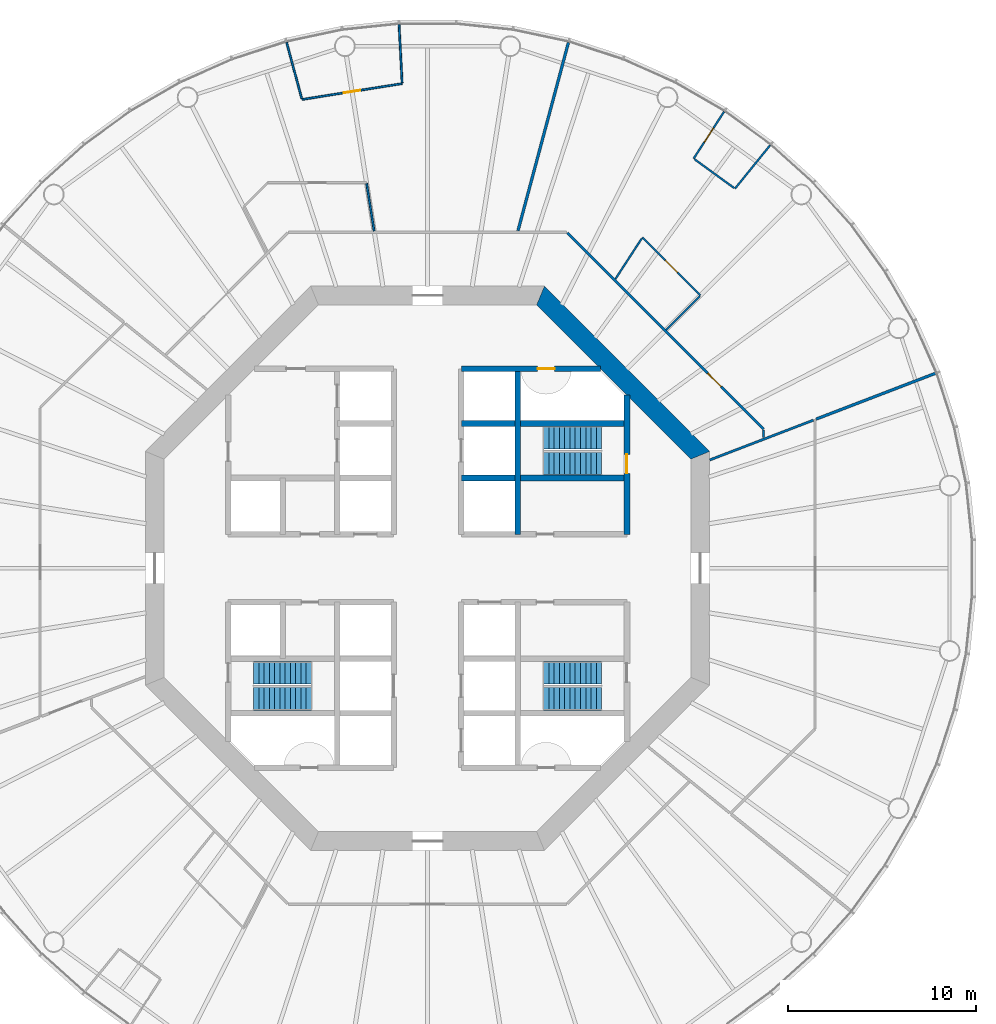
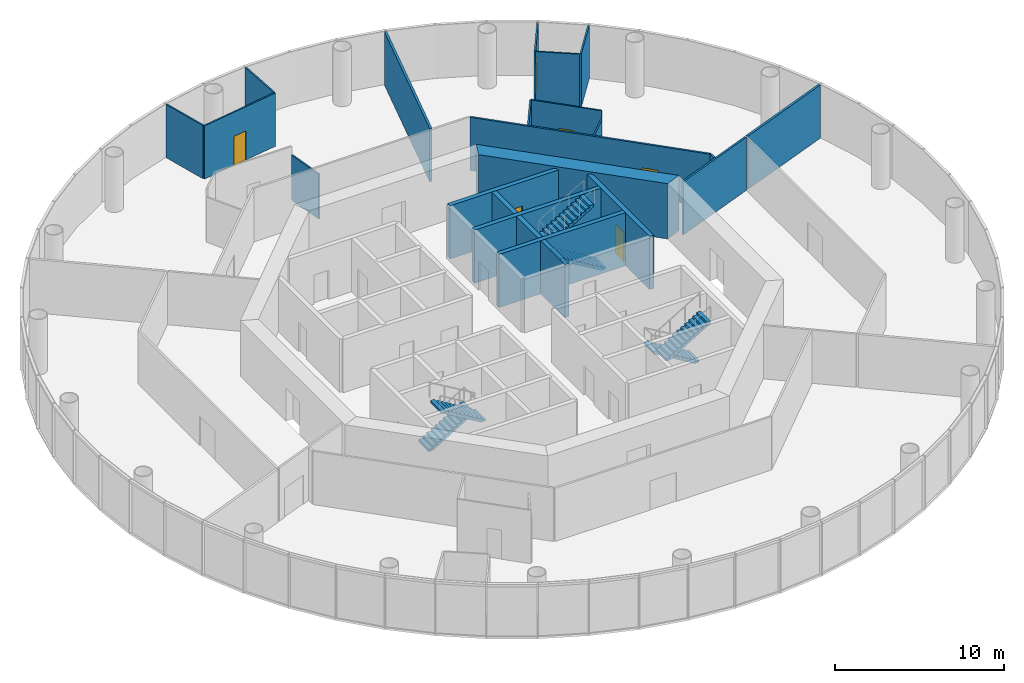
# One storey, part 5 of 12: 21 walls, 6 doors, 6 stair flights, 6 openings, 3 elements without a shape of their own.
"""IFC4 building model written with IfcOpenShell, lengths in metres."""

import ifcopenshell
import ifcopenshell.guid

model = None  # the IFC model being written
_history = None  # IfcOwnerHistory: only IFC2X3 demands one
_inside = {}  # id of a spatial element -> (the spatial element, [elements in it])
_under = {}  # id of a project, library or spatial element -> (it, [spatial elements below it])
_declared = {}  # id of a project -> (the project, [libraries it declares])
_typed = {}  # id of a type object -> (the type object, [elements of that type])
_made_of = {}  # id of a material, layer set ... -> (it, [elements and type objects made of it])


def new_model(schema):
    """Start an empty IFC model of exactly this schema.

    Asked for "IFC4X3", IfcOpenShell would pick the latest addendum, in which some entities
    have other attributes; the version numbers below select the first issue.
    IFC2X3 requires an IfcOwnerHistory on every rooted entity: one is made here for all.
    """
    global model, _history
    if schema == "IFC4X3":
        model = ifcopenshell.file(schema_version=(4, 3, 0, 0))
    else:
        model = ifcopenshell.file(schema=schema)
    _inside.clear()
    _under.clear()
    _declared.clear()
    _typed.clear()
    _made_of.clear()
    _history = None
    if model.schema == "IFC2X3":
        org = make("IfcOrganization", Name="unknown")
        user = make(
            "IfcPersonAndOrganization",
            ThePerson=make("IfcPerson", FamilyName="unknown"),
            TheOrganization=org,
        )
        app = make(
            "IfcApplication",
            ApplicationDeveloper=org,
            Version="unknown",
            ApplicationFullName="unknown",
            ApplicationIdentifier="unknown",
        )
        _history = make(
            "IfcOwnerHistory",
            OwningUser=user,
            OwningApplication=app,
            ChangeAction="ADDED",
            CreationDate=0,
        )
    return model


def make(cls, **values):
    """One entity of the class cls with the attributes given. An attribute that is None is left unset."""
    return model.create_entity(
        cls, **{name: value for name, value in values.items() if value is not None}
    )


def rooted(cls, **values):
    """An entity with a GlobalId (a new one), such as an element, a storey or a relation."""
    return make(cls, GlobalId=ifcopenshell.guid.new(), OwnerHistory=_history, **values)


def si_unit(unit_type, name, prefix=None):
    """IfcSIUnit, for example si_unit("LENGTHUNIT", "METRE", prefix="MILLI")."""
    return make("IfcSIUnit", UnitType=unit_type, Prefix=prefix, Name=name)


def assignment(units):
    """IfcUnitAssignment: the units of a project."""
    return None if units is None else make("IfcUnitAssignment", Units=units)


def point(xyz):
    """IfcCartesianPoint."""
    return None if xyz is None else make("IfcCartesianPoint", Coordinates=xyz)


def direction(xyz):
    """IfcDirection."""
    return None if xyz is None else make("IfcDirection", DirectionRatios=xyz)


def frame(location, z_axis=None, x_axis=None):
    """IfcAxis2Placement3D, a coordinate frame: its origin and axes. An axis left out is left unset."""
    return make(
        "IfcAxis2Placement3D",
        Location=point(location),
        Axis=direction(z_axis),
        RefDirection=direction(x_axis),
    )


def frame_2d(location, x_axis=None):
    """IfcAxis2Placement2D, a coordinate frame in the plane: its origin and x axis."""
    return make(
        "IfcAxis2Placement2D", Location=point(location), RefDirection=direction(x_axis)
    )


def origin():
    """The frame at (0, 0, 0) with its axes left unset."""
    return frame((0.0, 0.0, 0.0))


def place(relative_to, where):
    """IfcLocalPlacement: puts the frame where relative to a parent placement (None: the world)."""
    return make(
        "IfcLocalPlacement", PlacementRelTo=relative_to, RelativePlacement=where
    )


def context(
    kind, dimensions, precision=None, world=None, true_north=None, identifier=None
):
    """IfcGeometricRepresentationContext, for example the 3D "Model" context."""
    return make(
        "IfcGeometricRepresentationContext",
        ContextIdentifier=identifier,
        ContextType=kind,
        CoordinateSpaceDimension=dimensions,
        Precision=precision,
        WorldCoordinateSystem=world,
        TrueNorth=true_north,
    )


def subcontext(parent, identifier, kind, view, scale=None):
    """IfcGeometricRepresentationSubContext, for example "Body" below "Model"."""
    return make(
        "IfcGeometricRepresentationSubContext",
        ContextIdentifier=identifier,
        ContextType=kind,
        ParentContext=parent,
        TargetScale=scale,
        TargetView=view,
    )


def project(units=None, contexts=None):
    """IfcProject with its units and contexts."""
    return rooted(
        "IfcProject",
        Name="project",
        RepresentationContexts=contexts,
        UnitsInContext=assignment(units),
    )


def spatial(cls, under=None, at=None, **own):
    """A site, building, storey or space (cls), placed at a placement, below another one or the project."""
    s = rooted(cls, ObjectPlacement=at, **own)
    if under is not None:
        _under.setdefault(under.id(), (under, []))[1].append(s)
    return s


def polyline(points):
    """IfcPolyline through the points."""
    return make("IfcPolyline", Points=[point(p) for p in points])


def profile(cls, at=None, kind="AREA", **sizes):
    """A parametric profile (cls). Its sizes go by their IFC names, for example OverallWidth=200.0."""
    return make(cls, ProfileType=kind, Position=at, **sizes)


def rectangle(**sizes):
    """IfcRectangleProfileDef."""
    return profile("IfcRectangleProfileDef", **sizes)


def outline(outer, holes=None, kind="AREA"):
    """IfcArbitraryClosedProfileDef: a profile drawn as a closed curve; with holes, ...WithVoids."""
    if holes is None:
        return make("IfcArbitraryClosedProfileDef", ProfileType=kind, OuterCurve=outer)
    return make(
        "IfcArbitraryProfileDefWithVoids",
        ProfileType=kind,
        OuterCurve=outer,
        InnerCurves=holes,
    )


def extrude(swept, where, along, depth):
    """IfcExtrudedAreaSolid: the profile swept, set in the frame where, extruded along a direction by depth."""
    return make(
        "IfcExtrudedAreaSolid",
        SweptArea=swept,
        Position=where,
        ExtrudedDirection=direction(along),
        Depth=depth,
    )


def shape(context_of_items, identifier, shape_type, items):
    """IfcShapeRepresentation: the items that make up one representation, for example the "Body"."""
    return make(
        "IfcShapeRepresentation",
        ContextOfItems=context_of_items,
        RepresentationIdentifier=identifier,
        RepresentationType=shape_type,
        Items=items,
    )


def material(Name=None, Category=None):
    """IfcMaterial."""
    return make("IfcMaterial", Name=Name, Category=Category)


def layer(
    of_material, thickness, ventilated=None, Name=None, Category=None, Priority=None
):
    """IfcMaterialLayer: one layer of a wall or slab, of a material (None: an air gap)."""
    return make(
        "IfcMaterialLayer",
        Material=of_material,
        LayerThickness=thickness,
        IsVentilated=ventilated,
        Name=Name,
        Category=Category,
        Priority=Priority,
    )


def layer_set(layers, Name=None):
    """IfcMaterialLayerSet."""
    return make("IfcMaterialLayerSet", MaterialLayers=layers, LayerSetName=Name)


def made_of(thing, what):
    """Note that an element or type object is made of a material, layer set ...; save() writes the relation."""
    if what is not None:
        _made_of.setdefault(what.id(), (what, []))[1].append(thing)
    return thing


def type_object(cls, material=None, **own):
    """A type object (cls), such as IfcWallType, which elements share."""
    return made_of(rooted(cls, **own), material)


def element(
    cls,
    number,
    at=None,
    inside=None,
    cuts=None,
    type_object=None,
    material=None,
    context=None,
    identifier="Body",
    shape_type=None,
    held_by="IfcProductDefinitionShape",
    body=None,
    shapes=None,
    **own,
):
    """One element of the class cls, such as IfcWall. Its Tag is "e" and its number.

    at: its placement. inside: the storey or other place that contains it. cuts: it is an
    opening in that element (IfcRelVoidsElement). A single representation is given by context,
    identifier, shape_type and body (its items); several are given by shapes. held_by: the class
    of the entity that holds the representations. save() writes the other relations.
    """
    e = rooted(cls, Tag="e%d" % number, ObjectPlacement=at, **own)
    if body is not None:
        shapes = [shape(context, identifier, shape_type, body)]
    if shapes is not None:
        e.Representation = make(held_by, Representations=shapes)
    if inside is not None:
        _inside.setdefault(inside.id(), (inside, []))[1].append(e)
    if cuts is not None:
        rooted(
            "IfcRelVoidsElement", RelatingBuildingElement=cuts, RelatedOpeningElement=e
        )
    if type_object is not None:
        _typed.setdefault(type_object.id(), (type_object, []))[1].append(e)
    return made_of(e, material)


def fill(opening, filler):
    """IfcRelFillsElement: the door or window that sits in an opening."""
    return rooted(
        "IfcRelFillsElement",
        RelatingOpeningElement=opening,
        RelatedBuildingElement=filler,
    )


def aggregate(whole, parts):
    """IfcRelAggregates: a whole, such as a stair, and the parts it consists of."""
    return rooted("IfcRelAggregates", RelatingObject=whole, RelatedObjects=parts)


def save(model, path):
    """Write the relations noted so far, then the file.

    IfcRelAggregates (storeys below a building ...), IfcRelContainedInSpatialStructure (elements
    in a storey), IfcRelDefinesByType, IfcRelAssociatesMaterial and IfcRelDeclares: one each for
    every whole, place, type object, material and project.
    """
    for whole, parts in _under.values():
        aggregate(whole, parts)
    for where, things in _inside.values():
        rooted(
            "IfcRelContainedInSpatialStructure",
            RelatedElements=things,
            RelatingStructure=where,
        )
    for kind, things in _typed.values():
        rooted("IfcRelDefinesByType", RelatedObjects=things, RelatingType=kind)
    for what, things in _made_of.values():
        rooted("IfcRelAssociatesMaterial", RelatedObjects=things, RelatingMaterial=what)
    for by, libraries in _declared.values():
        rooted("IfcRelDeclares", RelatingContext=by, RelatedDefinitions=libraries)
    model.write(path)


model = new_model("IFC4")

# Units and contexts
model_context = context("Model", 3, precision=1e-05, world=origin(), true_north=direction((0.0, 1.0)))
body_context = subcontext(model_context, "Body", "Model", "MODEL_VIEW")
ifc_project = project(units=[si_unit("LENGTHUNIT", "METRE"), si_unit("AREAUNIT", "SQUARE_METRE"), si_unit("VOLUMEUNIT", "CUBIC_METRE"), si_unit("PLANEANGLEUNIT", "RADIAN"), si_unit("MASSUNIT", "GRAM", prefix="KILO")], contexts=[model_context])

# Site, building, storey
site_placement = place(None, origin())
site = spatial("IfcSite", under=ifc_project, at=site_placement, CompositionType="ELEMENT")
building_placement = place(site_placement, origin())
building = spatial("IfcBuilding", under=site, at=building_placement, Name="Entoto Ring Tower", CompositionType="ELEMENT")
storey_placement = place(building_placement, frame((0.0, 0.0, 148.0)))
storey = spatial("IfcBuildingStorey", under=building, at=storey_placement, Name="L33", CompositionType="ELEMENT", Elevation=148.0)

# Wall, opening, door
ifc_material_1 = material(Name="Concrete C40/50", Category="concrete")
ifc_layer_1 = layer(ifc_material_1, 0.300048828125)
ifc_layer_set_1 = layer_set([ifc_layer_1], Name="Concrete C40/50")
wall_type_1 = type_object("IfcWallType", Name="Core enclosure wall 300 mm reinforced concrete", PredefinedType="SOLIDWALL", material=ifc_layer_set_1)
wall_1_placement = place(storey_placement, frame((100.60009765625, 81.800048828125, 0.0), z_axis=(0.0, 0.0, 1.0), x_axis=(0.0, 1.0, 0.0)))
wall_1 = element("IfcWall", 1, at=wall_1_placement, inside=storey, type_object=wall_type_1, Name="wall-L33-002", PredefinedType="SOLIDWALL", context=body_context, shape_type="SweptSolid", body=[
    extrude(rectangle(XDim=7.39892578125, YDim=0.300048828125, at=frame_2d((3.699462890625, 0.0))), origin(), (0.0, 0.0, 1.0), 3.85009765625),
])
opening_1_placement = place(wall_1_placement, frame((3.25, 0.0, 0.0)))
opening_1 = element("IfcOpeningElement", 2, at=opening_1_placement, cuts=wall_1, Name="Opening K-52", PredefinedType="OPENING", context=body_context, shape_type="SweptSolid", body=[
    extrude(rectangle(XDim=1.0, YDim=2.10009765625, at=frame_2d((0.5, 1.050048828125))), frame((0.0, 0.16015625, 0.0), z_axis=(0.0, -1.0, 0.0), x_axis=(1.0, 0.0, 0.0)), (0.0, 0.0, 1.0), 0.320068359375),
])
ifc_material_2 = material(Name="Steel door leaf, fire rated", Category="steel")
ifc_layer_2 = layer(ifc_material_2, 0.050048828125)
ifc_layer_set_2 = layer_set([ifc_layer_2], Name="Steel door leaf, fire rated")
door_type_1 = type_object("IfcDoorType", Name="Fire door FD60 1000 x 2100 single leaf", OperationType="NOTDEFINED", PredefinedType="DOOR", material=ifc_layer_set_2)
door_1_placement = place(opening_1_placement, origin())
door_1 = element("IfcDoor", 3, at=door_1_placement, inside=storey, type_object=door_type_1, Name="Door K-52", OperationType="SINGLE_SWING_LEFT", OverallHeight=2.10009765625, OverallWidth=1.0, PredefinedType="DOOR", context=body_context, shape_type="SweptSolid", body=[
    extrude(rectangle(XDim=1.0, YDim=2.10009765625, at=frame_2d((0.5, 1.050048828125))), frame((0.0, 0.02490234375, 0.0), z_axis=(0.0, -1.0, 0.0), x_axis=(1.0, 0.0, 0.0)), (0.0, 0.0, 1.0), 0.050048828125),
])
fill(opening_1, door_1)

# Walls
for number, where, z_axis, x_axis, name in (
    (4, (94.800048828125, 81.800048828125, 0.0), (0.0, 0.0, 1.0), (0.0, 1.0, 0.0), "wall-L33-004"),
    (5, (91.800048828125, 84.800048828125, 0.0), (0.0, 0.0, 1.0), (1.0, 0.0, 0.0), "wall-L33-026"),
    (6, (91.800048828125, 87.699951171875, 0.0), (0.0, 0.0, 1.0), (1.0, 0.0, 0.0), "wall-L33-028"),
):
    element("IfcWall", number, at=place(storey_placement, frame(where, z_axis=z_axis, x_axis=x_axis)), inside=storey, type_object=wall_type_1, Name=name, PredefinedType="SOLIDWALL", context=body_context, shape_type="SweptSolid", body=[
        extrude(rectangle(XDim=8.800048828125, YDim=0.300048828125, at=frame_2d((4.39990234375, 0.0))), origin(), (0.0, 0.0, 1.0), 3.85009765625),
    ])

# Wall, opening, door
wall_2_placement = place(storey_placement, frame((91.800048828125, 90.60009765625, 0.0), z_axis=(0.0, 0.0, 1.0), x_axis=(1.0, 0.0, 0.0)))
wall_2 = element("IfcWall", 7, at=wall_2_placement, inside=storey, type_object=wall_type_1, Name="wall-L33-030", PredefinedType="SOLIDWALL", context=body_context, shape_type="SweptSolid", body=[
    extrude(rectangle(XDim=7.39892578125, YDim=0.300048828125, at=frame_2d((3.699462890625, 0.0))), origin(), (0.0, 0.0, 1.0), 3.85009765625),
])
opening_2_placement = place(wall_2_placement, frame((4.050048828125, 0.0, 0.0)))
opening_2 = element("IfcOpeningElement", 8, at=opening_2_placement, cuts=wall_2, Name="Opening K-60", PredefinedType="OPENING", context=body_context, shape_type="SweptSolid", body=[
    extrude(rectangle(XDim=0.89990234375, YDim=2.10009765625, at=frame_2d((0.449951171875, 1.050048828125))), frame((0.0, 0.16015625, 0.0), z_axis=(0.0, -1.0, 0.0), x_axis=(1.0, 0.0, 0.0)), (0.0, 0.0, 1.0), 0.320068359375),
])
ifc_material_3 = material(Name="Steel door leaf, fire rated", Category="steel")
ifc_layer_3 = layer(ifc_material_3, 0.050048828125)
ifc_layer_set_3 = layer_set([ifc_layer_3], Name="Steel door leaf, fire rated")
door_type_2 = type_object("IfcDoorType", Name="Riser door FD60 900 x 2100 single leaf", OperationType="NOTDEFINED", PredefinedType="DOOR", material=ifc_layer_set_3)
door_2_placement = place(opening_2_placement, frame((0.89990234375, 0.0, 0.0), z_axis=(0.0, 0.0, 1.0), x_axis=(-1.0, 0.0, 0.0)))
door_2 = element("IfcDoor", 9, at=door_2_placement, inside=storey, type_object=door_type_2, Name="Door K-60", OperationType="SINGLE_SWING_RIGHT", OverallHeight=2.10009765625, OverallWidth=0.89990234375, PredefinedType="DOOR", context=body_context, shape_type="SweptSolid", body=[
    extrude(rectangle(XDim=0.89990234375, YDim=2.10009765625, at=frame_2d((0.449951171875, 1.050048828125))), frame((0.0, 0.02490234375, 0.0), z_axis=(0.0, -1.0, 0.0), x_axis=(1.0, 0.0, 0.0)), (0.0, 0.0, 1.0), 0.050048828125),
])
fill(opening_2, door_2)

# Wall
ifc_material_4 = material(Name="Concrete C50/60", Category="concrete")
ifc_layer_4 = layer(ifc_material_4, 1.0)
ifc_layer_set_4 = layer_set([ifc_layer_4], Name="Concrete C50/60")
wall_type_2 = type_object("IfcWallType", Name="Core shear wall 1000 mm reinforced concrete C50/60", PredefinedType="SHEAR", material=ifc_layer_set_4)
wall_3_placement = place(storey_placement, frame((104.5, 86.006103515625, 0.0), z_axis=(0.0, 0.0, 1.0), x_axis=(-0.707106781187, 0.707106781187, 0.0)))
element("IfcWall", 10, at=wall_3_placement, inside=storey, type_object=wall_type_2, Name="wall-L33-core-1", PredefinedType="SHEAR", context=body_context, shape_type="SweptSolid", body=[
    extrude(outline(polyline([(-0.20703125, -0.5), (12.21923828125, -0.5), (11.80517578125, 0.5), (0.20703125, 0.5), (-0.20703125, -0.5)])), origin(), (0.0, 0.0, 1.0), 4.0),
])

# Wall, opening, door
ifc_material_5 = material(Name="Fire-resisting plasterboard on steel studs", Category="steel")
ifc_layer_5 = layer(ifc_material_5, 0.125)
ifc_layer_set_5 = layer_set([ifc_layer_5], Name="Fire-resisting plasterboard on steel studs")
wall_type_3 = type_object("IfcWallType", Name="Corridor wall 125 mm one-hour plasterboard on steel studs", PredefinedType="PARTITIONING", material=ifc_layer_set_5)
wall_4_placement = place(storey_placement, frame((107.862548828125, 87.39892578125, 0.0), z_axis=(0.0, 0.0, 1.0), x_axis=(-0.707115054973, 0.707098507303, 0.0)))
wall_4 = element("IfcWall", 11, at=wall_4_placement, inside=storey, type_object=wall_type_3, Name="partition-L33-006", PredefinedType="PARTITIONING", context=body_context, shape_type="SweptSolid", body=[
    extrude(rectangle(XDim=14.753662109375, YDim=0.125, at=frame_2d((7.376953125, 0.0))), origin(), (0.0, 0.0, 1.0), 3.85009765625),
])
opening_3_placement = place(wall_4_placement, frame((3.199462890625, 0.0, 0.0)))
opening_3 = element("IfcOpeningElement", 12, at=opening_3_placement, cuts=wall_4, Name="Opening A15-D03", PredefinedType="OPENING", context=body_context, shape_type="SweptSolid", body=[
    extrude(rectangle(XDim=1.0, YDim=2.10009765625, at=frame_2d((0.5, 1.050048828125))), frame((0.0, 0.072509765625, 0.0), z_axis=(0.0, -1.0, 0.0), x_axis=(1.0, 0.0, 0.0)), (0.0, 0.0, 1.0), 0.14501953125),
])
ifc_material_6 = material(Name="Fire-resisting timber door set", Category="wood")
door_type_3 = type_object("IfcDoorType", Name="Door 1000 x 2100 single leaf FD30S fire door", OperationType="NOTDEFINED", PredefinedType="DOOR", material=ifc_material_6)
door_3_placement = place(opening_3_placement, frame((1.0, 0.0, 0.0), z_axis=(0.0, 0.0, 1.0), x_axis=(-1.0, 0.0, 0.0)))
door_3 = element("IfcDoor", 13, at=door_3_placement, inside=storey, type_object=door_type_3, Name="Door A15-D03", OperationType="SINGLE_SWING_LEFT", OverallHeight=2.10009765625, OverallWidth=1.0, PredefinedType="DOOR", context=body_context, shape_type="SweptSolid", body=[
    extrude(rectangle(XDim=1.0, YDim=2.10009765625, at=frame_2d((0.5, 1.050048828125))), frame((0.0, 0.02490234375, 0.0), z_axis=(0.0, -1.0, 0.0), x_axis=(1.0, 0.0, 0.0)), (0.0, 0.0, 1.0), 0.050048828125),
])
fill(opening_3, door_3)

# Walls
wall_5_placement = place(storey_placement, frame((105.0, 85.758056640625, 0.0), z_axis=(0.0, 0.0, 1.0), x_axis=(0.933592488158, 0.358336526264, 0.0)))
element("IfcWall", 14, at=wall_5_placement, inside=storey, type_object=wall_type_3, Name="partition-L33-012", PredefinedType="PARTITIONING", context=body_context, shape_type="SweptSolid", body=[
    extrude(rectangle(XDim=5.90771484375, YDim=0.125, at=frame_2d((2.953857421875, 0.0))), origin(), (0.0, 0.0, 1.0), 3.85009765625),
])
wall_6_placement = place(storey_placement, frame((107.862548828125, 86.947509765625, 0.0), z_axis=(0.0, 0.0, 1.0), x_axis=(0.0, 1.0, 0.0)))
element("IfcWall", 15, at=wall_6_placement, inside=storey, type_object=wall_type_3, Name="partition-L33-016", PredefinedType="PARTITIONING", context=body_context, shape_type="SweptSolid", body=[
    extrude(rectangle(XDim=0.407470703125, YDim=0.125, at=frame_2d((0.20361328125, 0.0))), origin(), (0.0, 0.0, 1.0), 3.85009765625),
])

# Wall, opening, door
ifc_material_7 = material(Name="Plasterboard on steel studs", Category="steel")
ifc_layer_6 = layer(ifc_material_7, 0.10009765625)
ifc_layer_set_6 = layer_set([ifc_layer_6], Name="Plasterboard on steel studs")
wall_type_4 = type_object("IfcWallType", Name="Partition 100 mm plasterboard on steel studs", PredefinedType="PARTITIONING", material=ifc_layer_set_6)
wall_7_placement = place(storey_placement, frame((83.322509765625, 104.9208984375, 0.0), z_axis=(0.0, 0.0, 1.0), x_axis=(0.987687980324, 0.156436739688, 0.0)))
wall_7 = element("IfcWall", 16, at=wall_7_placement, inside=storey, type_object=wall_type_4, Name="partition-L33-022", PredefinedType="PARTITIONING", context=body_context, shape_type="SweptSolid", body=[
    extrude(rectangle(XDim=5.3935546875, YDim=0.10009765625, at=frame_2d((2.69677734375, 0.0))), origin(), (0.0, 0.0, 1.0), 3.85009765625),
])
opening_4_placement = place(wall_7_placement, frame((2.246826171875, 0.0, 0.0)))
opening_4 = element("IfcOpeningElement", 17, at=opening_4_placement, cuts=wall_7, Name="Opening A15-D08", PredefinedType="OPENING", context=body_context, shape_type="SweptSolid", body=[
    extrude(rectangle(XDim=0.89990234375, YDim=2.10009765625, at=frame_2d((0.449951171875, 1.050048828125))), frame((0.0, 0.06005859375, 0.0), z_axis=(0.0, -1.0, 0.0), x_axis=(1.0, 0.0, 0.0)), (0.0, 0.0, 1.0), 0.1201171875),
])
ifc_material_8 = material(Name="Veneered timber door leaf in timber frame", Category="wood")
door_type_4 = type_object("IfcDoorType", Name="Door 900 x 2100 single leaf timber veneer", OperationType="NOTDEFINED", PredefinedType="DOOR", material=ifc_material_8)
door_4_placement = place(opening_4_placement, origin())
door_4 = element("IfcDoor", 18, at=door_4_placement, inside=storey, type_object=door_type_4, Name="Door A15-D08", OperationType="SINGLE_SWING_RIGHT", OverallHeight=2.10009765625, OverallWidth=0.89990234375, PredefinedType="DOOR", context=body_context, shape_type="SweptSolid", body=[
    extrude(rectangle(XDim=0.89990234375, YDim=2.10009765625, at=frame_2d((0.449951171875, 1.050048828125))), frame((0.0, 0.02490234375, 0.0), z_axis=(0.0, -1.0, 0.0), x_axis=(1.0, 0.0, 0.0)), (0.0, 0.0, 1.0), 0.050048828125),
])
fill(opening_4, door_4)

wall_8_placement = place(storey_placement, frame((104.50439453125, 94.50439453125, 0.0), z_axis=(0.0, 0.0, 1.0), x_axis=(-0.707078784165, 0.7071347771, 0.0)))
wall_8 = element("IfcWall", 19, at=wall_8_placement, inside=storey, type_object=wall_type_4, Name="partition-L33-025", PredefinedType="PARTITIONING", context=body_context, shape_type="SweptSolid", body=[
    extrude(rectangle(XDim=4.360107421875, YDim=0.10009765625, at=frame_2d((2.18017578125, 0.0))), origin(), (0.0, 0.0, 1.0), 3.85009765625),
])
opening_5_placement = place(wall_8_placement, frame((1.72998046875, 0.0, 0.0)))
opening_5 = element("IfcOpeningElement", 20, at=opening_5_placement, cuts=wall_8, Name="Opening A15-D04", PredefinedType="OPENING", context=body_context, shape_type="SweptSolid", body=[
    extrude(rectangle(XDim=0.89990234375, YDim=2.10009765625, at=frame_2d((0.449951171875, 1.050048828125))), frame((0.0, 0.06005859375, 0.0), z_axis=(0.0, -1.0, 0.0), x_axis=(1.0, 0.0, 0.0)), (0.0, 0.0, 1.0), 0.1201171875),
])
door_5_placement = place(opening_5_placement, origin())
door_5 = element("IfcDoor", 21, at=door_5_placement, inside=storey, type_object=door_type_4, Name="Door A15-D04", OperationType="SINGLE_SWING_RIGHT", OverallHeight=2.10009765625, OverallWidth=0.89990234375, PredefinedType="DOOR", context=body_context, shape_type="SweptSolid", body=[
    extrude(rectangle(XDim=0.89990234375, YDim=2.10009765625, at=frame_2d((0.449951171875, 1.050048828125))), frame((0.0, 0.02490234375, 0.0), z_axis=(0.0, -1.0, 0.0), x_axis=(1.0, 0.0, 0.0)), (0.0, 0.0, 1.0), 0.050048828125),
])
fill(opening_5, door_5)

# Walls
wall_9_placement = place(storey_placement, frame((88.647216796875, 105.814208984375, 0.0), z_axis=(0.0, 0.0, 1.0), x_axis=(-0.052376392373, 0.998627414766, 0.0)))
element("IfcWall", 22, at=wall_9_placement, inside=storey, type_object=wall_type_4, Name="partition-L33-026", PredefinedType="PARTITIONING", context=body_context, shape_type="SweptSolid", body=[
    extrude(rectangle(XDim=3.09033203125, YDim=0.10009765625, at=frame_2d((1.545166015625, 0.0))), origin(), (0.0, 0.0, 1.0), 3.85009765625),
])
wall_10_placement = place(storey_placement, frame((83.3095703125, 104.968994140625, 0.0), z_axis=(0.0, 0.0, 1.0), x_axis=(-0.258822964688, 0.965924776031, 0.0)))
element("IfcWall", 23, at=wall_10_placement, inside=storey, type_object=wall_type_4, Name="partition-L33-027", PredefinedType="PARTITIONING", context=body_context, shape_type="SweptSolid", body=[
    extrude(rectangle(XDim=3.090087890625, YDim=0.10009765625, at=frame_2d((1.544921875, 0.0))), origin(), (0.0, 0.0, 1.0), 3.85009765625),
])

# Wall, opening, door
wall_11_placement = place(storey_placement, frame((104.144287109375, 101.7802734375, 0.0), z_axis=(0.0, 0.0, 1.0), x_axis=(0.544682036648, 0.838642640791, 0.0)))
wall_11 = element("IfcWall", 24, at=wall_11_placement, inside=storey, type_object=wall_type_4, Name="partition-L33-028", PredefinedType="PARTITIONING", context=body_context, shape_type="SweptSolid", body=[
    extrude(rectangle(XDim=2.969970703125, YDim=0.10009765625, at=frame_2d((1.48486328125, 0.0))), origin(), (0.0, 0.0, 1.0), 3.85009765625),
])
opening_6_placement = place(wall_11_placement, frame((1.034912109375, 0.0, 0.0)))
opening_6 = element("IfcOpeningElement", 25, at=opening_6_placement, cuts=wall_11, Name="Opening A15-D05", PredefinedType="OPENING", context=body_context, shape_type="SweptSolid", body=[
    extrude(rectangle(XDim=0.89990234375, YDim=2.10009765625, at=frame_2d((0.449951171875, 1.050048828125))), frame((0.0, 0.06005859375, 0.0), z_axis=(0.0, -1.0, 0.0), x_axis=(1.0, 0.0, 0.0)), (0.0, 0.0, 1.0), 0.1201171875),
])
door_6_placement = place(opening_6_placement, frame((0.89990234375, 0.0, 0.0), z_axis=(0.0, 0.0, 1.0), x_axis=(-1.0, 0.0, 0.0)))
door_6 = element("IfcDoor", 26, at=door_6_placement, inside=storey, type_object=door_type_4, Name="Door A15-D05", OperationType="SINGLE_SWING_LEFT", OverallHeight=2.10009765625, OverallWidth=0.89990234375, PredefinedType="DOOR", context=body_context, shape_type="SweptSolid", body=[
    extrude(rectangle(XDim=0.89990234375, YDim=2.10009765625, at=frame_2d((0.449951171875, 1.050048828125))), frame((0.0, 0.02490234375, 0.0), z_axis=(0.0, -1.0, 0.0), x_axis=(1.0, 0.0, 0.0)), (0.0, 0.0, 1.0), 0.050048828125),
])
fill(opening_6, door_6)

# Walls
wall_12_placement = place(storey_placement, frame((106.343505859375, 100.1826171875, 0.0), z_axis=(0.0, 0.0, 1.0), x_axis=(0.629325928916, 0.777141476949, 0.0)))
element("IfcWall", 27, at=wall_12_placement, inside=storey, type_object=wall_type_4, Name="partition-L33-029", PredefinedType="PARTITIONING", context=body_context, shape_type="SweptSolid", body=[
    extrude(rectangle(XDim=2.9697265625, YDim=0.10009765625, at=frame_2d((1.48486328125, 0.0))), origin(), (0.0, 0.0, 1.0), 3.85009765625),
])
wall_13_placement = place(storey_placement, frame((106.302978515625, 100.2119140625, 0.0), z_axis=(0.0, 0.0, 1.0), x_axis=(-0.808994068442, 0.587816805839, 0.0)))
element("IfcWall", 28, at=wall_13_placement, inside=storey, type_object=wall_type_4, Name="partition-L33-034", PredefinedType="PARTITIONING", context=body_context, shape_type="SweptSolid", body=[
    extrude(rectangle(XDim=2.6181640625, YDim=0.10009765625, at=frame_2d((1.30908203125, 0.0))), origin(), (0.0, 0.0, 1.0), 3.85009765625),
])
wall_14_placement = place(storey_placement, frame((99.986572265625, 95.377685546875, 0.0), z_axis=(0.0, 0.0, 1.0), x_axis=(0.544588108652, 0.838703637714, 0.0)))
element("IfcWall", 29, at=wall_14_placement, inside=storey, type_object=wall_type_4, Name="partition-L33-036", PredefinedType="PARTITIONING", context=body_context, shape_type="SweptSolid", body=[
    extrude(rectangle(XDim=2.5732421875, YDim=0.10009765625, at=frame_2d((1.28662109375, 0.0))), origin(), (0.0, 0.0, 1.0), 3.85009765625),
])
ifc_material_9 = material(Name="Plasterboard on steel studs", Category="steel")
ifc_layer_7 = layer(ifc_material_9, 0.10009765625)
ifc_layer_set_7 = layer_set([ifc_layer_7], Name="Plasterboard on steel studs")
wall_type_5 = type_object("IfcWallType", Name="Partition 100 mm plasterboard on steel studs, 3250 mm high", PredefinedType="PARTITIONING", material=ifc_layer_set_7)
wall_15_placement = place(storey_placement, frame((87.15966796875, 97.9326171875, 0.0), z_axis=(0.0, 0.0, 1.0), x_axis=(-0.156375114101, 0.987697739033, 0.0)))
element("IfcWall", 30, at=wall_15_placement, inside=storey, type_object=wall_type_5, Name="partition-L33-037", PredefinedType="PARTITIONING", context=body_context, shape_type="SweptSolid", body=[
    extrude(rectangle(XDim=2.552734375, YDim=0.10009765625, at=frame_2d((1.2763671875, 0.0))), origin(), (0.0, 0.0, 1.0), 3.25),
])
wall_16_placement = place(storey_placement, frame((102.675048828125, 92.675048828125, 0.0), z_axis=(0.0, 0.0, 1.0), x_axis=(0.707106781187, 0.707106781187, 0.0)))
element("IfcWall", 31, at=wall_16_placement, inside=storey, type_object=wall_type_5, Name="partition-L33-038", PredefinedType="PARTITIONING", context=body_context, shape_type="SweptSolid", body=[
    extrude(rectangle(XDim=2.537109375, YDim=0.10009765625, at=frame_2d((1.2685546875, 0.0))), origin(), (0.0, 0.0, 1.0), 3.25),
])
ifc_material_10 = material(Name="Fire-resisting acoustic plasterboard on steel studs", Category="steel")
ifc_layer_8 = layer(ifc_material_10, 0.14990234375)
ifc_layer_set_8 = layer_set([ifc_layer_8], Name="Fire-resisting acoustic plasterboard on steel studs")
wall_type_6 = type_object("IfcWallType", Name="Party wall 150 mm one-hour acoustic plasterboard on steel studs", PredefinedType="PARTITIONING", material=ifc_layer_set_8)
wall_17_placement = place(storey_placement, frame((94.80810546875, 97.9443359375, 0.0), z_axis=(0.0, 0.0, 1.0), x_axis=(0.258826761906, 0.965923758545, 0.0)))
element("IfcWall", 32, at=wall_17_placement, inside=storey, type_object=wall_type_6, Name="partition-L33-017", PredefinedType="PARTITIONING", context=body_context, shape_type="SweptSolid", body=[
    extrude(rectangle(XDim=10.362548828125, YDim=0.14990234375, at=frame_2d((5.18115234375, 0.0))), origin(), (0.0, 0.0, 1.0), 3.85009765625),
])
wall_18_placement = place(storey_placement, frame((110.654296875, 87.928466796875, 0.0), z_axis=(0.0, 0.0, 1.0), x_axis=(0.933585412346, 0.358354960695, 0.0)))
element("IfcWall", 33, at=wall_18_placement, inside=storey, type_object=wall_type_6, Name="partition-L33-021", PredefinedType="PARTITIONING", context=body_context, shape_type="SweptSolid", body=[
    extrude(rectangle(XDim=6.816162109375, YDim=0.14990234375, at=frame_2d((3.408203125, 0.0))), origin(), (0.0, 0.0, 1.0), 3.85009765625),
])

# Stair, stair flights
ifc_material_11 = material(Name="Concrete C40/50", Category="concrete")
stair_type = type_object("IfcStairType", Name="Exit stair 1200 mm dog-leg reinforced concrete", PredefinedType="HALF_TURN_STAIR", material=ifc_material_11)
stair_1_placement = place(storey_placement, origin())
stair_1 = element("IfcStair", 34, at=stair_1_placement, inside=storey, type_object=stair_type, Name="Exit stair 1", PredefinedType="HALF_TURN_STAIR")
ifc_material_12 = material(Name="Concrete C40/50", Category="concrete")
stair_flight_type = type_object("IfcStairFlightType", Name="Stair flight 1200 mm reinforced concrete", PredefinedType="STRAIGHT", material=ifc_material_12)
stair_flight_1_placement = place(storey_placement, frame((99.25, 85.550048828125, 0.0), z_axis=(0.0, 0.0, 1.0), x_axis=(-1.0, 0.0, 0.0)))
stair_flight_1 = element("IfcStairFlight", 35, at=stair_flight_1_placement, type_object=stair_flight_type, Name="ST1 flight 1", NumberOfRisers=12, NumberOfTreads=11, PredefinedType="STRAIGHT", RiserHeight=0.166666667, TreadLength=0.28, context=body_context, shape_type="SweptSolid", body=[
    extrude(outline(polyline([(0.0, 0.0), (0.0, 0.166748046875), (0.280029296875, 0.166748046875), (0.280029296875, 0.333251953125), (0.56005859375, 0.333251953125), (0.56005859375, 0.5), (0.840087890625, 0.5), (0.840087890625, 0.666748046875), (1.1201171875, 0.666748046875), (1.1201171875, 0.833251953125), (1.39990234375, 0.833251953125), (1.39990234375, 1.0), (1.679931640625, 1.0), (1.679931640625, 1.166748046875), (1.9599609375, 1.166748046875), (1.9599609375, 1.333251953125), (2.239990234375, 1.333251953125), (2.239990234375, 1.5), (2.52001953125, 1.5), (2.52001953125, 1.666748046875), (2.800048828125, 1.666748046875), (2.800048828125, 1.833251953125), (3.080078125, 1.833251953125), (3.080078125, 2.0), (3.080078125, 1.658935546875), (0.29296875, 0.0), (0.0, 0.0)])), frame((0.0, 0.60009765625, 0.0), z_axis=(0.0, -1.0, 0.0), x_axis=(1.0, 0.0, 0.0)), (0.0, 0.0, 1.0), 1.199951171875),
])
stair_flight_2_placement = place(storey_placement, frame((96.169921875, 86.949951171875, 2.0), z_axis=(0.0, 0.0, 1.0), x_axis=(1.0, 0.0, 0.0)))
stair_flight_2 = element("IfcStairFlight", 36, at=stair_flight_2_placement, type_object=stair_flight_type, Name="ST1 flight 2", NumberOfRisers=12, NumberOfTreads=11, PredefinedType="STRAIGHT", RiserHeight=0.166666667, TreadLength=0.28, context=body_context, shape_type="SweptSolid", body=[
    extrude(outline(polyline([(0.0, 0.0), (0.0, 0.166748046875), (0.280029296875, 0.166748046875), (0.280029296875, 0.333251953125), (0.56005859375, 0.333251953125), (0.56005859375, 0.5), (0.840087890625, 0.5), (0.840087890625, 0.666748046875), (1.1201171875, 0.666748046875), (1.1201171875, 0.833251953125), (1.39990234375, 0.833251953125), (1.39990234375, 1.0), (1.679931640625, 1.0), (1.679931640625, 1.166748046875), (1.9599609375, 1.166748046875), (1.9599609375, 1.333251953125), (2.239990234375, 1.333251953125), (2.239990234375, 1.5), (2.52001953125, 1.5), (2.52001953125, 1.666748046875), (2.800048828125, 1.666748046875), (2.800048828125, 1.833251953125), (3.080078125, 1.833251953125), (3.080078125, 2.0), (3.080078125, 1.658935546875), (0.29296875, 0.0), (0.0, 0.0)])), frame((0.0, 0.60009765625, 0.0), z_axis=(0.0, -1.0, 0.0), x_axis=(1.0, 0.0, 0.0)), (0.0, 0.0, 1.0), 1.199951171875),
])
aggregate(stair_1, [stair_flight_1, stair_flight_2])

stair_2_placement = place(storey_placement, origin())
stair_2 = element("IfcStair", 37, at=stair_2_placement, inside=storey, type_object=stair_type, Name="Exit stair 2", PredefinedType="HALF_TURN_STAIR")
stair_flight_3_placement = place(storey_placement, frame((80.75, 74.449951171875, 0.0), z_axis=(0.0, 0.0, 1.0), x_axis=(1.0, 0.0, 0.0)))
stair_flight_3 = element("IfcStairFlight", 38, at=stair_flight_3_placement, type_object=stair_flight_type, Name="ST2 flight 1", NumberOfRisers=12, NumberOfTreads=11, PredefinedType="STRAIGHT", RiserHeight=0.166666667, TreadLength=0.28, context=body_context, shape_type="SweptSolid", body=[
    extrude(outline(polyline([(0.0, 0.0), (0.0, 0.166748046875), (0.280029296875, 0.166748046875), (0.280029296875, 0.333251953125), (0.56005859375, 0.333251953125), (0.56005859375, 0.5), (0.840087890625, 0.5), (0.840087890625, 0.666748046875), (1.1201171875, 0.666748046875), (1.1201171875, 0.833251953125), (1.39990234375, 0.833251953125), (1.39990234375, 1.0), (1.679931640625, 1.0), (1.679931640625, 1.166748046875), (1.9599609375, 1.166748046875), (1.9599609375, 1.333251953125), (2.239990234375, 1.333251953125), (2.239990234375, 1.5), (2.52001953125, 1.5), (2.52001953125, 1.666748046875), (2.800048828125, 1.666748046875), (2.800048828125, 1.833251953125), (3.080078125, 1.833251953125), (3.080078125, 2.0), (3.080078125, 1.658935546875), (0.29296875, 0.0), (0.0, 0.0)])), frame((0.0, 0.60009765625, 0.0), z_axis=(0.0, -1.0, 0.0), x_axis=(1.0, 0.0, 0.0)), (0.0, 0.0, 1.0), 1.199951171875),
])
stair_flight_4_placement = place(storey_placement, frame((83.830078125, 73.050048828125, 2.0), z_axis=(0.0, 0.0, 1.0), x_axis=(-1.0, 0.0, 0.0)))
stair_flight_4 = element("IfcStairFlight", 39, at=stair_flight_4_placement, type_object=stair_flight_type, Name="ST2 flight 2", NumberOfRisers=12, NumberOfTreads=11, PredefinedType="STRAIGHT", RiserHeight=0.166666667, TreadLength=0.28, context=body_context, shape_type="SweptSolid", body=[
    extrude(outline(polyline([(0.0, 0.0), (0.0, 0.166748046875), (0.280029296875, 0.166748046875), (0.280029296875, 0.333251953125), (0.56005859375, 0.333251953125), (0.56005859375, 0.5), (0.840087890625, 0.5), (0.840087890625, 0.666748046875), (1.1201171875, 0.666748046875), (1.1201171875, 0.833251953125), (1.39990234375, 0.833251953125), (1.39990234375, 1.0), (1.679931640625, 1.0), (1.679931640625, 1.166748046875), (1.9599609375, 1.166748046875), (1.9599609375, 1.333251953125), (2.239990234375, 1.333251953125), (2.239990234375, 1.5), (2.52001953125, 1.5), (2.52001953125, 1.666748046875), (2.800048828125, 1.666748046875), (2.800048828125, 1.833251953125), (3.080078125, 1.833251953125), (3.080078125, 2.0), (3.080078125, 1.658935546875), (0.29296875, 0.0), (0.0, 0.0)])), frame((0.0, 0.60009765625, 0.0), z_axis=(0.0, -1.0, 0.0), x_axis=(1.0, 0.0, 0.0)), (0.0, 0.0, 1.0), 1.199951171875),
])
aggregate(stair_2, [stair_flight_3, stair_flight_4])

stair_3_placement = place(storey_placement, origin())
stair_3 = element("IfcStair", 40, at=stair_3_placement, inside=storey, type_object=stair_type, Name="Exit stair 3", PredefinedType="HALF_TURN_STAIR")
stair_flight_5_placement = place(storey_placement, frame((99.25, 74.449951171875, 0.0), z_axis=(0.0, 0.0, 1.0), x_axis=(-1.0, 0.0, 0.0)))
stair_flight_5 = element("IfcStairFlight", 41, at=stair_flight_5_placement, type_object=stair_flight_type, Name="ST3 flight 1", NumberOfRisers=12, NumberOfTreads=11, PredefinedType="STRAIGHT", RiserHeight=0.166666667, TreadLength=0.28, context=body_context, shape_type="SweptSolid", body=[
    extrude(outline(polyline([(0.0, 0.0), (0.0, 0.166748046875), (0.280029296875, 0.166748046875), (0.280029296875, 0.333251953125), (0.56005859375, 0.333251953125), (0.56005859375, 0.5), (0.840087890625, 0.5), (0.840087890625, 0.666748046875), (1.1201171875, 0.666748046875), (1.1201171875, 0.833251953125), (1.39990234375, 0.833251953125), (1.39990234375, 1.0), (1.679931640625, 1.0), (1.679931640625, 1.166748046875), (1.9599609375, 1.166748046875), (1.9599609375, 1.333251953125), (2.239990234375, 1.333251953125), (2.239990234375, 1.5), (2.52001953125, 1.5), (2.52001953125, 1.666748046875), (2.800048828125, 1.666748046875), (2.800048828125, 1.833251953125), (3.080078125, 1.833251953125), (3.080078125, 2.0), (3.080078125, 1.658935546875), (0.29296875, 0.0), (0.0, 0.0)])), frame((0.0, 0.60009765625, 0.0), z_axis=(0.0, -1.0, 0.0), x_axis=(1.0, 0.0, 0.0)), (0.0, 0.0, 1.0), 1.199951171875),
])
stair_flight_6_placement = place(storey_placement, frame((96.169921875, 73.050048828125, 2.0), z_axis=(0.0, 0.0, 1.0), x_axis=(1.0, 0.0, 0.0)))
stair_flight_6 = element("IfcStairFlight", 42, at=stair_flight_6_placement, type_object=stair_flight_type, Name="ST3 flight 2", NumberOfRisers=12, NumberOfTreads=11, PredefinedType="STRAIGHT", RiserHeight=0.166666667, TreadLength=0.28, context=body_context, shape_type="SweptSolid", body=[
    extrude(outline(polyline([(0.0, 0.0), (0.0, 0.166748046875), (0.280029296875, 0.166748046875), (0.280029296875, 0.333251953125), (0.56005859375, 0.333251953125), (0.56005859375, 0.5), (0.840087890625, 0.5), (0.840087890625, 0.666748046875), (1.1201171875, 0.666748046875), (1.1201171875, 0.833251953125), (1.39990234375, 0.833251953125), (1.39990234375, 1.0), (1.679931640625, 1.0), (1.679931640625, 1.166748046875), (1.9599609375, 1.166748046875), (1.9599609375, 1.333251953125), (2.239990234375, 1.333251953125), (2.239990234375, 1.5), (2.52001953125, 1.5), (2.52001953125, 1.666748046875), (2.800048828125, 1.666748046875), (2.800048828125, 1.833251953125), (3.080078125, 1.833251953125), (3.080078125, 2.0), (3.080078125, 1.658935546875), (0.29296875, 0.0), (0.0, 0.0)])), frame((0.0, 0.60009765625, 0.0), z_axis=(0.0, -1.0, 0.0), x_axis=(1.0, 0.0, 0.0)), (0.0, 0.0, 1.0), 1.199951171875),
])
aggregate(stair_3, [stair_flight_5, stair_flight_6])

save(model, "model.ifc")
